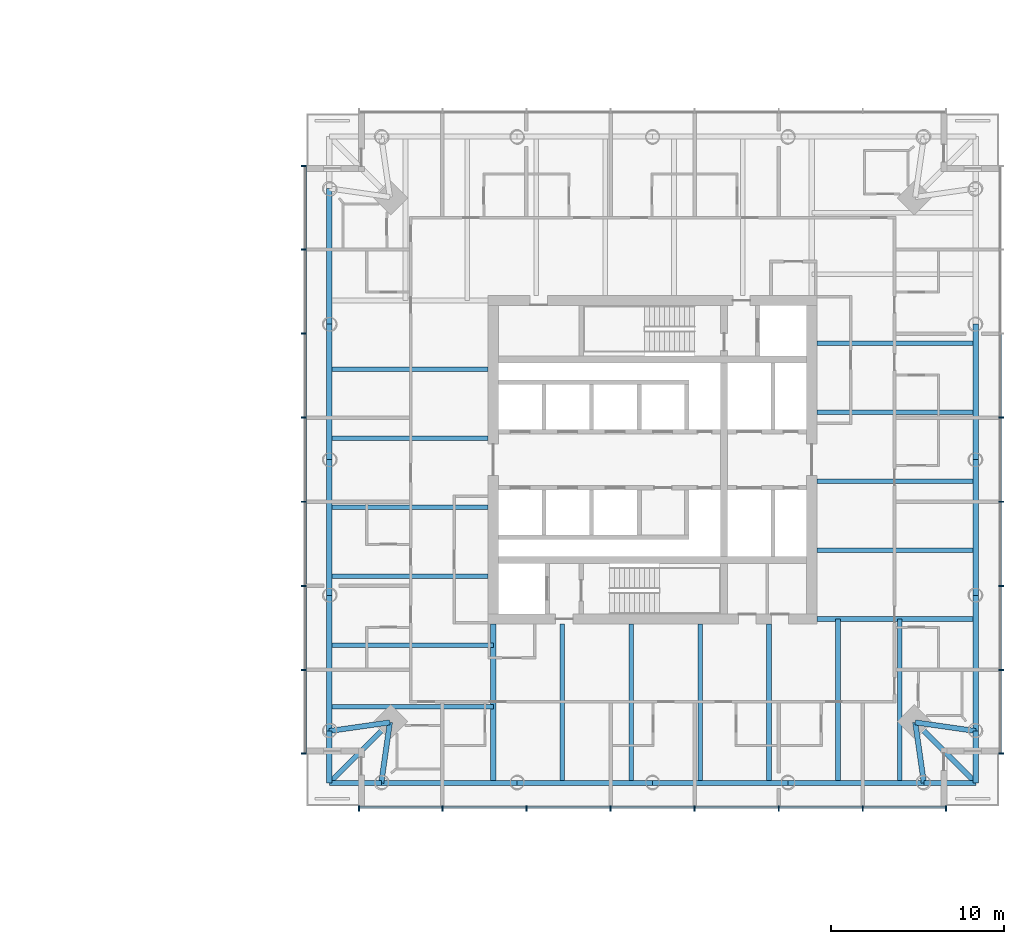
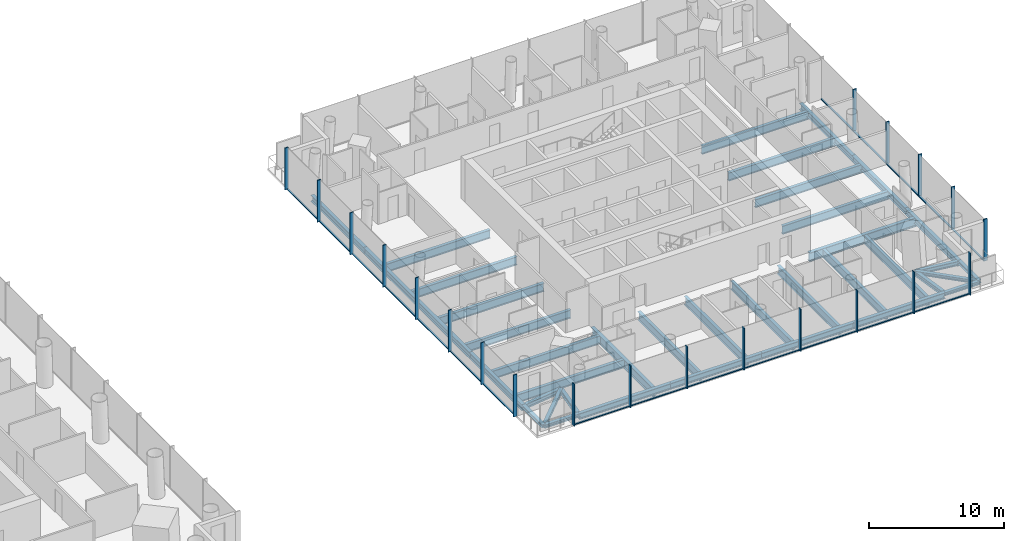
# One storey, part 5 of 20: 40 members, 39 beams, 3 elements without a shape of their own.
"""IFC4 building model written with IfcOpenShell, lengths in metres."""

from ifc_helpers import new_model, si_unit, direction, frame, origin, origin_2d, place, context, subcontext, project, spatial, rectangle, i_section, extrude, material, material_profile, profile_set, type_object, element, aggregate, save


model = new_model("IFC4")

# Units and contexts
model_context = context("Model", 3, precision=1e-05, world=origin(), true_north=direction((0.0, 1.0)))
body_context = subcontext(model_context, "Body", "Model", "MODEL_VIEW")
ifc_project = project(units=[si_unit("LENGTHUNIT", "METRE"), si_unit("AREAUNIT", "SQUARE_METRE"), si_unit("VOLUMEUNIT", "CUBIC_METRE"), si_unit("PLANEANGLEUNIT", "RADIAN"), si_unit("MASSUNIT", "GRAM", prefix="KILO")], contexts=[model_context])

# Site, building, storey
site_placement = place(None, origin())
site = spatial("IfcSite", under=ifc_project, at=site_placement, CompositionType="ELEMENT")
building_placement = place(site_placement, origin())
building = spatial("IfcBuilding", under=site, at=building_placement, Name="Ostroluk Exchange", CompositionType="ELEMENT")
storey_placement = place(building_placement, frame((0.0, 0.0, 28.60009765625)))
storey = spatial("IfcBuildingStorey", under=building, at=storey_placement, Name="L06", CompositionType="ELEMENT", Elevation=28.60009765625)

# Beams
ifc_material_1 = material(Name="Steel S355", Category="steel")
ifc_material_profile_1 = material_profile(ifc_material_1, i_section(OverallWidth=0.300048828125, OverallDepth=0.300048828125, WebThickness=0.010986328125, FlangeThickness=0.01904296875, FilletRadius=0.027099609375, at=origin_2d()), Name="HEB 300")
ifc_profile_set_1 = profile_set([ifc_material_profile_1], Name="Steel S355")
beam_type_1 = type_object("IfcBeamType", Name="Balcony beam HEB 300", PredefinedType="BEAM", material=ifc_profile_set_1)
for number, where, z_axis, x_axis, name in (
    (1, (98.32763671875, 30.32763671875, -0.35009765625), (0.0, -1.0, 0.0), (1.0, 0.0, 0.0), "T2 west balcony beam a"),
    (2, (101.32763671875, 27.32763671875, -0.35009765625), (-1.0, 0.0, 0.0), (0.0, -1.0, 0.0), "T2 west balcony beam b"),
):
    element("IfcBeam", number, at=place(storey_placement, frame(where, z_axis=z_axis, x_axis=x_axis)), inside=storey, type_object=beam_type_1, Name=name, PredefinedType="BEAM", context=body_context, shape_type="SweptSolid", body=[
        extrude(i_section(OverallWidth=0.300048828125, OverallDepth=0.300048828125, WebThickness=0.010986328125, FlangeThickness=0.01904296875, FilletRadius=0.027099609375, at=origin_2d()), origin(), (0.0, 0.0, 1.0), 3.0),
    ])
beam_1_placement = place(storey_placement, frame((101.82763671875, 30.82763671875, -0.35009765625), z_axis=(-0.707106781187, -0.707106781187, 0.0), x_axis=(0.707106781187, -0.707106781187, 0.0)))
element("IfcBeam", 3, at=beam_1_placement, inside=storey, type_object=beam_type_1, Name="T2 west balcony beam c", PredefinedType="BEAM", context=body_context, shape_type="SweptSolid", body=[
    extrude(i_section(OverallWidth=0.300048828125, OverallDepth=0.300048828125, WebThickness=0.010986328125, FlangeThickness=0.01904296875, FilletRadius=0.027099609375, at=origin_2d()), origin(), (0.0, 0.0, 1.0), 4.94970703125),
])
for number, where, z_axis, x_axis, name in (
    (4, (132.67236328125, 27.32763671875, -0.35009765625), (1.0, 0.0, 0.0), (0.0, 1.0, 0.0), "T2 south balcony beam a"),
    (5, (135.67236328125, 30.32763671875, -0.35009765625), (0.0, -1.0, 0.0), (1.0, 0.0, 0.0), "T2 south balcony beam b"),
):
    element("IfcBeam", number, at=place(storey_placement, frame(where, z_axis=z_axis, x_axis=x_axis)), inside=storey, type_object=beam_type_1, Name=name, PredefinedType="BEAM", context=body_context, shape_type="SweptSolid", body=[
        extrude(i_section(OverallWidth=0.300048828125, OverallDepth=0.300048828125, WebThickness=0.010986328125, FlangeThickness=0.01904296875, FilletRadius=0.027099609375, at=origin_2d()), origin(), (0.0, 0.0, 1.0), 3.0),
    ])
beam_2_placement = place(storey_placement, frame((132.17236328125, 30.82763671875, -0.35009765625), z_axis=(0.707106781187, -0.707106781187, 0.0), x_axis=(0.707106781187, 0.707106781187, 0.0)))
element("IfcBeam", 6, at=beam_2_placement, inside=storey, type_object=beam_type_1, Name="T2 south balcony beam c", PredefinedType="BEAM", context=body_context, shape_type="SweptSolid", body=[
    extrude(i_section(OverallWidth=0.300048828125, OverallDepth=0.300048828125, WebThickness=0.010986328125, FlangeThickness=0.01904296875, FilletRadius=0.027099609375, at=origin_2d()), origin(), (0.0, 0.0, 1.0), 4.94970703125),
])
ifc_material_2 = material(Name="Steel S355", Category="steel")
ifc_material_profile_2 = material_profile(ifc_material_2, i_section(OverallWidth=0.300048828125, OverallDepth=0.39990234375, WebThickness=0.013427734375, FlangeThickness=0.02392578125, FilletRadius=0.027099609375, at=origin_2d()), Name="HEB 400")
ifc_profile_set_2 = profile_set([ifc_material_profile_2], Name="Steel S355")
beam_type_2 = type_object("IfcBeamType", Name="Corner edge beam HEB 400", PredefinedType="SPANDREL", material=ifc_profile_set_2)
for number, where, z_axis, x_axis, name in (
    (7, (101.82763671875, 30.82763671875, -0.400146484375), (-0.989949493661, -0.141421356237, 0.0), (0.141421356237, -0.989949493661, 0.0), "T2 west corner edge beam a"),
    (8, (101.82763671875, 30.82763671875, -0.400146484375), (-0.141421356237, -0.989949493661, 0.0), (0.989949493661, -0.141421356237, 0.0), "T2 west corner edge beam b"),
    (9, (132.17236328125, 30.82763671875, -0.400146484375), (0.141421356237, -0.989949493661, 0.0), (0.989949493661, 0.141421356237, 0.0), "T2 south corner edge beam a"),
    (10, (132.17236328125, 30.82763671875, -0.400146484375), (0.989949493661, -0.141421356237, 0.0), (0.141421356237, 0.989949493661, 0.0), "T2 south corner edge beam b"),
):
    element("IfcBeam", number, at=place(storey_placement, frame(where, z_axis=z_axis, x_axis=x_axis)), inside=storey, type_object=beam_type_2, Name=name, PredefinedType="SPANDREL", context=body_context, shape_type="SweptSolid", body=[
        extrude(i_section(OverallWidth=0.300048828125, OverallDepth=0.39990234375, WebThickness=0.013427734375, FlangeThickness=0.02392578125, FilletRadius=0.027099609375, at=origin_2d()), origin(), (0.0, 0.0, 1.0), 3.53564453125),
    ])
ifc_material_3 = material(Name="Steel S355", Category="steel")
ifc_material_profile_3 = material_profile(ifc_material_3, i_section(OverallWidth=0.264892578125, OverallDepth=0.7529296875, WebThickness=0.01318359375, FlangeThickness=0.01708984375, FilletRadius=0.01708984375, at=origin_2d()), Name="IPE 750x147")
ifc_profile_set_3 = profile_set([ifc_material_profile_3], Name="Steel S355")
beam_type_3 = type_object("IfcBeamType", Name="Floor beam IPE 750x147", PredefinedType="BEAM", material=ifc_profile_set_3)
for number, where, z_axis, x_axis, name in (
    (11, (126.5, 40.78173828125, -0.57666015625), (1.0, 0.0, 0.0), (0.0, 1.0, 0.0), "T2 east floor beam 1"),
    (12, (126.5, 44.763427734375, -0.57666015625), (1.0, 0.0, 0.0), (0.0, 1.0, 0.0), "T2 east floor beam 2"),
    (13, (126.5, 48.745361328125, -0.57666015625), (1.0, 0.0, 0.0), (0.0, 1.0, 0.0), "T2 east floor beam 3"),
    (14, (126.5, 52.72705078125, -0.57666015625), (1.0, 0.0, 0.0), (0.0, 1.0, 0.0), "T2 east floor beam 4"),
    (15, (107.5, 51.21826171875, -0.57666015625), (-1.0, 0.0, 0.0), (0.0, -1.0, 0.0), "T2 west floor beam 1"),
    (16, (107.5, 47.236572265625, -0.57666015625), (-1.0, 0.0, 0.0), (0.0, -1.0, 0.0), "T2 west floor beam 2"),
    (17, (107.5, 43.254638671875, -0.57666015625), (-1.0, 0.0, 0.0), (0.0, -1.0, 0.0), "T2 west floor beam 3"),
    (18, (107.5, 39.27294921875, -0.57666015625), (-1.0, 0.0, 0.0), (0.0, -1.0, 0.0), "T2 west floor beam 4"),
):
    element("IfcBeam", number, at=place(storey_placement, frame(where, z_axis=z_axis, x_axis=x_axis)), inside=storey, type_object=beam_type_3, Name=name, PredefinedType="BEAM", context=body_context, shape_type="SweptSolid", body=[
        extrude(i_section(OverallWidth=0.264892578125, OverallDepth=0.7529296875, WebThickness=0.01318359375, FlangeThickness=0.01708984375, FilletRadius=0.01708984375, at=origin_2d()), origin(), (0.0, 0.0, 1.0), 9.17236328125),
    ])
for number, where, z_axis, x_axis, name in (
    (19, (107.800048828125, 35.291015625, -0.57666015625), (-1.0, 0.0, 0.0), (0.0, -1.0, 0.0), "T2 west floor beam 5"),
    (20, (107.800048828125, 31.7275390625, -0.57666015625), (-1.0, 0.0, 0.0), (0.0, -1.0, 0.0), "T2 west floor beam 6"),
):
    element("IfcBeam", number, at=place(storey_placement, frame(where, z_axis=z_axis, x_axis=x_axis)), inside=storey, type_object=beam_type_3, Name=name, PredefinedType="BEAM", context=body_context, shape_type="SweptSolid", body=[
        extrude(i_section(OverallWidth=0.264892578125, OverallDepth=0.7529296875, WebThickness=0.01318359375, FlangeThickness=0.01708984375, FilletRadius=0.01708984375, at=origin_2d()), origin(), (0.0, 0.0, 1.0), 9.472412109375),
    ])
for number, where, z_axis, x_axis, name in (
    (21, (111.78173828125, 36.5, -0.57666015625), (0.0, -1.0, 0.0), (1.0, 0.0, 0.0), "T2 south floor beam 1"),
    (22, (115.763427734375, 36.5, -0.57666015625), (0.0, -1.0, 0.0), (1.0, 0.0, 0.0), "T2 south floor beam 2"),
    (23, (119.745361328125, 36.5, -0.57666015625), (0.0, -1.0, 0.0), (1.0, 0.0, 0.0), "T2 south floor beam 3"),
    (24, (123.72705078125, 36.5, -0.57666015625), (0.0, -1.0, 0.0), (1.0, 0.0, 0.0), "T2 south floor beam 4"),
):
    element("IfcBeam", number, at=place(storey_placement, frame(where, z_axis=z_axis, x_axis=x_axis)), inside=storey, type_object=beam_type_3, Name=name, PredefinedType="BEAM", context=body_context, shape_type="SweptSolid", body=[
        extrude(i_section(OverallWidth=0.264892578125, OverallDepth=0.7529296875, WebThickness=0.01318359375, FlangeThickness=0.01708984375, FilletRadius=0.01708984375, at=origin_2d()), origin(), (0.0, 0.0, 1.0), 9.17236328125),
    ])
for number, where, z_axis, x_axis, name in (
    (25, (127.708984375, 36.800048828125, -0.57666015625), (0.0, -1.0, 0.0), (1.0, 0.0, 0.0), "T2 south floor beam 5"),
    (26, (131.2724609375, 36.800048828125, -0.57666015625), (0.0, -1.0, 0.0), (1.0, 0.0, 0.0), "T2 south floor beam 6"),
):
    element("IfcBeam", number, at=place(storey_placement, frame(where, z_axis=z_axis, x_axis=x_axis)), inside=storey, type_object=beam_type_3, Name=name, PredefinedType="BEAM", context=body_context, shape_type="SweptSolid", body=[
        extrude(i_section(OverallWidth=0.264892578125, OverallDepth=0.7529296875, WebThickness=0.01318359375, FlangeThickness=0.01708984375, FilletRadius=0.01708984375, at=origin_2d()), origin(), (0.0, 0.0, 1.0), 9.472412109375),
    ])
ifc_material_4 = material(Name="Steel S355", Category="steel")
ifc_material_profile_4 = material_profile(ifc_material_4, i_section(OverallWidth=0.300048828125, OverallDepth=0.800048828125, WebThickness=0.017578125, FlangeThickness=0.032958984375, FilletRadius=0.030029296875, at=origin_2d()), Name="HEB 800")
ifc_profile_set_4 = profile_set([ifc_material_profile_4], Name="Steel S355")
beam_type_4 = type_object("IfcBeamType", Name="Girder HEB 800", PredefinedType="BEAM", material=ifc_profile_set_4)
for number, where, z_axis, x_axis, name in (
    (27, (107.800048828125, 36.5, -0.60009765625), (0.0, -1.0, 0.0), (1.0, 0.0, 0.0), "T2 west girder"),
    (28, (126.5, 36.800048828125, -0.60009765625), (1.0, 0.0, 0.0), (0.0, 1.0, 0.0), "T2 south girder"),
):
    element("IfcBeam", number, at=place(storey_placement, frame(where, z_axis=z_axis, x_axis=x_axis)), inside=storey, type_object=beam_type_4, Name=name, PredefinedType="BEAM", context=body_context, shape_type="SweptSolid", body=[
        extrude(i_section(OverallWidth=0.300048828125, OverallDepth=0.800048828125, WebThickness=0.017578125, FlangeThickness=0.032958984375, FilletRadius=0.030029296875, at=origin_2d()), origin(), (0.0, 0.0, 1.0), 9.17236328125),
    ])
ifc_material_5 = material(Name="Steel S355", Category="steel")
ifc_material_profile_5 = material_profile(ifc_material_5, i_section(OverallWidth=0.300048828125, OverallDepth=0.550048828125, WebThickness=0.014892578125, FlangeThickness=0.029052734375, FilletRadius=0.027099609375, at=origin_2d()), Name="HEB 550")
ifc_profile_set_5 = profile_set([ifc_material_profile_5], Name="Steel S355")
beam_type_5 = type_object("IfcBeamType", Name="Moment-connected edge beam HEB 550", PredefinedType="SPANDREL", material=ifc_profile_set_5)
for number, where, z_axis, x_axis, name in (
    (29, (135.67236328125, 30.32763671875, -0.47509765625), (0.0, 1.0, 0.0), (-1.0, 0.0, 0.0), "T2 east edge beam 1"),
    (30, (135.67236328125, 38.163818359375, -0.47509765625), (0.0, 1.0, 0.0), (-1.0, 0.0, 0.0), "T2 east edge beam 2"),
    (31, (135.67236328125, 46.0, -0.47509765625), (0.0, 1.0, 0.0), (-1.0, 0.0, 0.0), "T2 east edge beam 3"),
    (32, (98.32763671875, 61.67236328125, -0.47509765625), (0.0, -1.0, 0.0), (1.0, 0.0, 0.0), "T2 west edge beam 1"),
    (33, (98.32763671875, 53.836181640625, -0.47509765625), (0.0, -1.0, 0.0), (1.0, 0.0, 0.0), "T2 west edge beam 2"),
    (34, (98.32763671875, 46.0, -0.47509765625), (0.0, -1.0, 0.0), (1.0, 0.0, 0.0), "T2 west edge beam 3"),
    (35, (98.32763671875, 38.163818359375, -0.47509765625), (0.0, -1.0, 0.0), (1.0, 0.0, 0.0), "T2 west edge beam 4"),
    (36, (101.32763671875, 27.32763671875, -0.47509765625), (1.0, 0.0, 0.0), (0.0, 1.0, 0.0), "T2 south edge beam 1"),
    (37, (109.163818359375, 27.32763671875, -0.47509765625), (1.0, 0.0, 0.0), (0.0, 1.0, 0.0), "T2 south edge beam 2"),
    (38, (117.0, 27.32763671875, -0.47509765625), (1.0, 0.0, 0.0), (0.0, 1.0, 0.0), "T2 south edge beam 3"),
    (39, (124.836181640625, 27.32763671875, -0.47509765625), (1.0, 0.0, 0.0), (0.0, 1.0, 0.0), "T2 south edge beam 4"),
):
    element("IfcBeam", number, at=place(storey_placement, frame(where, z_axis=z_axis, x_axis=x_axis)), inside=storey, type_object=beam_type_5, Name=name, PredefinedType="SPANDREL", context=body_context, shape_type="SweptSolid", body=[
        extrude(i_section(OverallWidth=0.300048828125, OverallDepth=0.550048828125, WebThickness=0.014892578125, FlangeThickness=0.029052734375, FilletRadius=0.027099609375, at=origin_2d()), origin(), (0.0, 0.0, 1.0), 7.836181640625),
    ])

# Curtain wall, members
ifc_material_6 = material(Name="Laminated clear glass", Category="glass")
curtain_wall_type = type_object("IfcCurtainWallType", Name="Hotel guest floor facade", PredefinedType="USERDEFINED", material=ifc_material_6)
curtain_wall_1_placement = place(storey_placement, origin())
curtain_wall_1 = element("IfcCurtainWall", 40, at=curtain_wall_1_placement, inside=storey, type_object=curtain_wall_type, Name="Hotel tower south facade L06", ObjectType="UNITISED CURTAIN WALL", PredefinedType="USERDEFINED")
ifc_material_7 = material(Name="Aluminium mullion", Category="aluminium")
ifc_material_profile_6 = material_profile(ifc_material_7, rectangle(XDim=0.14990234375, YDim=0.080078125, at=origin_2d()), Name="Sill transom 80 x 150")
ifc_profile_set_6 = profile_set([ifc_material_profile_6], Name="Aluminium mullion")
member_type_1 = type_object("IfcMemberType", Name="Sill transom 80 x 150", PredefinedType="USERDEFINED", material=ifc_profile_set_6)
member_1_placement = place(storey_placement, frame((100.080078125, 25.925048828125, 0.039794921875), z_axis=(1.0, 0.0, 0.0), x_axis=(0.0, 1.0, 0.0)))
member_1 = element("IfcMember", 41, at=member_1_placement, type_object=member_type_1, Name="CW-H1 transom 1.1", ObjectType="TRANSOM", PredefinedType="USERDEFINED", context=body_context, shape_type="SweptSolid", body=[
    extrude(rectangle(XDim=0.14990234375, YDim=0.080078125, at=origin_2d()), origin(), (0.0, 0.0, 1.0), 4.737060546875),
])
member_2_placement = place(storey_placement, frame((104.897216796875, 25.925048828125, 0.039794921875), z_axis=(1.0, 0.0, 0.0), x_axis=(0.0, 1.0, 0.0)))
member_2 = element("IfcMember", 42, at=member_2_placement, type_object=member_type_1, Name="CW-H1 transom 2.1", ObjectType="TRANSOM", PredefinedType="USERDEFINED", context=body_context, shape_type="SweptSolid", body=[
    extrude(rectangle(XDim=0.14990234375, YDim=0.080078125, at=origin_2d()), origin(), (0.0, 0.0, 1.0), 4.777099609375),
])
member_3_placement = place(storey_placement, frame((109.75439453125, 25.925048828125, 0.039794921875), z_axis=(1.0, 0.0, 0.0), x_axis=(0.0, 1.0, 0.0)))
member_3 = element("IfcMember", 43, at=member_3_placement, type_object=member_type_1, Name="CW-H1 transom 3.1", ObjectType="TRANSOM", PredefinedType="USERDEFINED", context=body_context, shape_type="SweptSolid", body=[
    extrude(rectangle(XDim=0.14990234375, YDim=0.080078125, at=origin_2d()), origin(), (0.0, 0.0, 1.0), 4.777099609375),
])
member_4_placement = place(storey_placement, frame((114.611328125, 25.925048828125, 0.039794921875), z_axis=(1.0, 0.0, 0.0), x_axis=(0.0, 1.0, 0.0)))
member_4 = element("IfcMember", 44, at=member_4_placement, type_object=member_type_1, Name="CW-H1 transom 4.1", ObjectType="TRANSOM", PredefinedType="USERDEFINED", context=body_context, shape_type="SweptSolid", body=[
    extrude(rectangle(XDim=0.14990234375, YDim=0.080078125, at=origin_2d()), origin(), (0.0, 0.0, 1.0), 4.77734375),
])
member_5_placement = place(storey_placement, frame((119.468505859375, 25.925048828125, 0.039794921875), z_axis=(1.0, 0.0, 0.0), x_axis=(0.0, 1.0, 0.0)))
member_5 = element("IfcMember", 45, at=member_5_placement, type_object=member_type_1, Name="CW-H1 transom 5.1", ObjectType="TRANSOM", PredefinedType="USERDEFINED", context=body_context, shape_type="SweptSolid", body=[
    extrude(rectangle(XDim=0.14990234375, YDim=0.080078125, at=origin_2d()), origin(), (0.0, 0.0, 1.0), 4.777099609375),
])
member_6_placement = place(storey_placement, frame((124.32568359375, 25.925048828125, 0.039794921875), z_axis=(1.0, 0.0, 0.0), x_axis=(0.0, 1.0, 0.0)))
member_6 = element("IfcMember", 46, at=member_6_placement, type_object=member_type_1, Name="CW-H1 transom 6.1", ObjectType="TRANSOM", PredefinedType="USERDEFINED", context=body_context, shape_type="SweptSolid", body=[
    extrude(rectangle(XDim=0.14990234375, YDim=0.080078125, at=origin_2d()), origin(), (0.0, 0.0, 1.0), 4.777099609375),
])
member_7_placement = place(storey_placement, frame((129.182861328125, 25.925048828125, 0.039794921875), z_axis=(1.0, 0.0, 0.0), x_axis=(0.0, 1.0, 0.0)))
member_7 = element("IfcMember", 47, at=member_7_placement, type_object=member_type_1, Name="CW-H1 transom 7.1", ObjectType="TRANSOM", PredefinedType="USERDEFINED", context=body_context, shape_type="SweptSolid", body=[
    extrude(rectangle(XDim=0.14990234375, YDim=0.080078125, at=origin_2d()), origin(), (0.0, 0.0, 1.0), 4.737060546875),
])

curtain_wall_2_placement = place(storey_placement, origin())
curtain_wall_2 = element("IfcCurtainWall", 48, at=curtain_wall_2_placement, inside=storey, type_object=curtain_wall_type, Name="Hotel tower east facade L06", ObjectType="UNITISED CURTAIN WALL", PredefinedType="USERDEFINED")
member_8_placement = place(storey_placement, frame((137.074951171875, 29.080078125, 0.039794921875), z_axis=(0.0, 1.0, 0.0), x_axis=(-1.0, 0.0, 0.0)))
member_8 = element("IfcMember", 49, at=member_8_placement, type_object=member_type_1, Name="CW-H1 transom 1.1", ObjectType="TRANSOM", PredefinedType="USERDEFINED", context=body_context, shape_type="SweptSolid", body=[
    extrude(rectangle(XDim=0.14990234375, YDim=0.080078125, at=origin_2d()), origin(), (0.0, 0.0, 1.0), 4.737060546875),
])
member_9_placement = place(storey_placement, frame((137.074951171875, 33.897216796875, 0.039794921875), z_axis=(0.0, 1.0, 0.0), x_axis=(-1.0, 0.0, 0.0)))
member_9 = element("IfcMember", 50, at=member_9_placement, type_object=member_type_1, Name="CW-H1 transom 2.1", ObjectType="TRANSOM", PredefinedType="USERDEFINED", context=body_context, shape_type="SweptSolid", body=[
    extrude(rectangle(XDim=0.14990234375, YDim=0.080078125, at=origin_2d()), origin(), (0.0, 0.0, 1.0), 4.777099609375),
])
member_10_placement = place(storey_placement, frame((137.074951171875, 38.75439453125, 0.039794921875), z_axis=(0.0, 1.0, 0.0), x_axis=(-1.0, 0.0, 0.0)))
member_10 = element("IfcMember", 51, at=member_10_placement, type_object=member_type_1, Name="CW-H1 transom 3.1", ObjectType="TRANSOM", PredefinedType="USERDEFINED", context=body_context, shape_type="SweptSolid", body=[
    extrude(rectangle(XDim=0.14990234375, YDim=0.080078125, at=origin_2d()), origin(), (0.0, 0.0, 1.0), 4.777099609375),
])
member_11_placement = place(storey_placement, frame((137.074951171875, 43.611328125, 0.039794921875), z_axis=(0.0, 1.0, 0.0), x_axis=(-1.0, 0.0, 0.0)))
member_11 = element("IfcMember", 52, at=member_11_placement, type_object=member_type_1, Name="CW-H1 transom 4.1", ObjectType="TRANSOM", PredefinedType="USERDEFINED", context=body_context, shape_type="SweptSolid", body=[
    extrude(rectangle(XDim=0.14990234375, YDim=0.080078125, at=origin_2d()), origin(), (0.0, 0.0, 1.0), 4.77734375),
])
member_12_placement = place(storey_placement, frame((137.074951171875, 48.468505859375, 0.039794921875), z_axis=(0.0, 1.0, 0.0), x_axis=(-1.0, 0.0, 0.0)))
member_12 = element("IfcMember", 53, at=member_12_placement, type_object=member_type_1, Name="CW-H1 transom 5.1", ObjectType="TRANSOM", PredefinedType="USERDEFINED", context=body_context, shape_type="SweptSolid", body=[
    extrude(rectangle(XDim=0.14990234375, YDim=0.080078125, at=origin_2d()), origin(), (0.0, 0.0, 1.0), 4.777099609375),
])

curtain_wall_3_placement = place(storey_placement, origin())
curtain_wall_3 = element("IfcCurtainWall", 54, at=curtain_wall_3_placement, inside=storey, type_object=curtain_wall_type, Name="Hotel tower west facade L06", ObjectType="UNITISED CURTAIN WALL", PredefinedType="USERDEFINED")
member_13_placement = place(storey_placement, frame((96.925048828125, 62.919921875, 0.039794921875), z_axis=(0.0, -1.0, 0.0), x_axis=(1.0, 0.0, 0.0)))
member_13 = element("IfcMember", 55, at=member_13_placement, type_object=member_type_1, Name="CW-H1 transom 1.1", ObjectType="TRANSOM", PredefinedType="USERDEFINED", context=body_context, shape_type="SweptSolid", body=[
    extrude(rectangle(XDim=0.14990234375, YDim=0.080078125, at=origin_2d()), origin(), (0.0, 0.0, 1.0), 4.737060546875),
])
member_14_placement = place(storey_placement, frame((96.925048828125, 58.102783203125, 0.039794921875), z_axis=(0.0, -1.0, 0.0), x_axis=(1.0, 0.0, 0.0)))
member_14 = element("IfcMember", 56, at=member_14_placement, type_object=member_type_1, Name="CW-H1 transom 2.1", ObjectType="TRANSOM", PredefinedType="USERDEFINED", context=body_context, shape_type="SweptSolid", body=[
    extrude(rectangle(XDim=0.14990234375, YDim=0.080078125, at=origin_2d()), origin(), (0.0, 0.0, 1.0), 4.777099609375),
])
member_15_placement = place(storey_placement, frame((96.925048828125, 53.24560546875, 0.039794921875), z_axis=(0.0, -1.0, 0.0), x_axis=(1.0, 0.0, 0.0)))
member_15 = element("IfcMember", 57, at=member_15_placement, type_object=member_type_1, Name="CW-H1 transom 3.1", ObjectType="TRANSOM", PredefinedType="USERDEFINED", context=body_context, shape_type="SweptSolid", body=[
    extrude(rectangle(XDim=0.14990234375, YDim=0.080078125, at=origin_2d()), origin(), (0.0, 0.0, 1.0), 4.777099609375),
])
member_16_placement = place(storey_placement, frame((96.925048828125, 48.388671875, 0.039794921875), z_axis=(0.0, -1.0, 0.0), x_axis=(1.0, 0.0, 0.0)))
member_16 = element("IfcMember", 58, at=member_16_placement, type_object=member_type_1, Name="CW-H1 transom 4.1", ObjectType="TRANSOM", PredefinedType="USERDEFINED", context=body_context, shape_type="SweptSolid", body=[
    extrude(rectangle(XDim=0.14990234375, YDim=0.080078125, at=origin_2d()), origin(), (0.0, 0.0, 1.0), 4.77734375),
])
member_17_placement = place(storey_placement, frame((96.925048828125, 43.531494140625, 0.039794921875), z_axis=(0.0, -1.0, 0.0), x_axis=(1.0, 0.0, 0.0)))
member_17 = element("IfcMember", 59, at=member_17_placement, type_object=member_type_1, Name="CW-H1 transom 5.1", ObjectType="TRANSOM", PredefinedType="USERDEFINED", context=body_context, shape_type="SweptSolid", body=[
    extrude(rectangle(XDim=0.14990234375, YDim=0.080078125, at=origin_2d()), origin(), (0.0, 0.0, 1.0), 4.777099609375),
])
member_18_placement = place(storey_placement, frame((96.925048828125, 38.67431640625, 0.039794921875), z_axis=(0.0, -1.0, 0.0), x_axis=(1.0, 0.0, 0.0)))
member_18 = element("IfcMember", 60, at=member_18_placement, type_object=member_type_1, Name="CW-H1 transom 6.1", ObjectType="TRANSOM", PredefinedType="USERDEFINED", context=body_context, shape_type="SweptSolid", body=[
    extrude(rectangle(XDim=0.14990234375, YDim=0.080078125, at=origin_2d()), origin(), (0.0, 0.0, 1.0), 4.777099609375),
])
member_19_placement = place(storey_placement, frame((96.925048828125, 33.817138671875, 0.039794921875), z_axis=(0.0, -1.0, 0.0), x_axis=(1.0, 0.0, 0.0)))
member_19 = element("IfcMember", 61, at=member_19_placement, type_object=member_type_1, Name="CW-H1 transom 7.1", ObjectType="TRANSOM", PredefinedType="USERDEFINED", context=body_context, shape_type="SweptSolid", body=[
    extrude(rectangle(XDim=0.14990234375, YDim=0.080078125, at=origin_2d()), origin(), (0.0, 0.0, 1.0), 4.737060546875),
])

# Member
ifc_material_8 = material(Name="Aluminium mullion with limestone facing", Category="masonry")
ifc_material_profile_7 = material_profile(ifc_material_8, rectangle(XDim=0.300048828125, YDim=0.080078125, at=origin_2d()), Name="Tracery mullion 80 x 300")
ifc_profile_set_7 = profile_set([ifc_material_profile_7], Name="Aluminium mullion with limestone facing")
member_type_2 = type_object("IfcMemberType", Name="Tracery mullion 80 x 300", PredefinedType="MULLION", material=ifc_profile_set_7)
member_20_placement = place(storey_placement, frame((100.0400390625, 25.85009765625, 0.0), z_axis=(0.0, 0.0, 1.0), x_axis=(0.0, 1.0, 0.0)))
member_20 = element("IfcMember", 62, at=member_20_placement, type_object=member_type_2, Name="CW-H1 mullion 1", PredefinedType="MULLION", context=body_context, shape_type="SweptSolid", body=[
    extrude(rectangle(XDim=0.300048828125, YDim=0.080078125, at=origin_2d()), origin(), (0.0, 0.0, 1.0), 3.7998046875),
])

member_21_placement = place(storey_placement, frame((104.857177734375, 25.85009765625, 0.0), z_axis=(0.0, 0.0, 1.0), x_axis=(0.0, 1.0, 0.0)))
member_21 = element("IfcMember", 63, at=member_21_placement, type_object=member_type_2, Name="CW-H1 mullion 2", PredefinedType="MULLION", context=body_context, shape_type="SweptSolid", body=[
    extrude(rectangle(XDim=0.300048828125, YDim=0.080078125, at=origin_2d()), origin(), (0.0, 0.0, 1.0), 3.7998046875),
])

member_22_placement = place(storey_placement, frame((109.71435546875, 25.85009765625, 0.0), z_axis=(0.0, 0.0, 1.0), x_axis=(0.0, 1.0, 0.0)))
member_22 = element("IfcMember", 64, at=member_22_placement, type_object=member_type_2, Name="CW-H1 mullion 3", PredefinedType="MULLION", context=body_context, shape_type="SweptSolid", body=[
    extrude(rectangle(XDim=0.300048828125, YDim=0.080078125, at=origin_2d()), origin(), (0.0, 0.0, 1.0), 3.7998046875),
])

member_23_placement = place(storey_placement, frame((114.571533203125, 25.85009765625, 0.0), z_axis=(0.0, 0.0, 1.0), x_axis=(0.0, 1.0, 0.0)))
member_23 = element("IfcMember", 65, at=member_23_placement, type_object=member_type_2, Name="CW-H1 mullion 4", PredefinedType="MULLION", context=body_context, shape_type="SweptSolid", body=[
    extrude(rectangle(XDim=0.300048828125, YDim=0.080078125, at=origin_2d()), origin(), (0.0, 0.0, 1.0), 3.7998046875),
])

member_24_placement = place(storey_placement, frame((119.428466796875, 25.85009765625, 0.0), z_axis=(0.0, 0.0, 1.0), x_axis=(0.0, 1.0, 0.0)))
member_24 = element("IfcMember", 66, at=member_24_placement, type_object=member_type_2, Name="CW-H1 mullion 5", PredefinedType="MULLION", context=body_context, shape_type="SweptSolid", body=[
    extrude(rectangle(XDim=0.300048828125, YDim=0.080078125, at=origin_2d()), origin(), (0.0, 0.0, 1.0), 3.7998046875),
])

member_25_placement = place(storey_placement, frame((124.28564453125, 25.85009765625, 0.0), z_axis=(0.0, 0.0, 1.0), x_axis=(0.0, 1.0, 0.0)))
member_25 = element("IfcMember", 67, at=member_25_placement, type_object=member_type_2, Name="CW-H1 mullion 6", PredefinedType="MULLION", context=body_context, shape_type="SweptSolid", body=[
    extrude(rectangle(XDim=0.300048828125, YDim=0.080078125, at=origin_2d()), origin(), (0.0, 0.0, 1.0), 3.7998046875),
])

member_26_placement = place(storey_placement, frame((129.142822265625, 25.85009765625, 0.0), z_axis=(0.0, 0.0, 1.0), x_axis=(0.0, 1.0, 0.0)))
member_26 = element("IfcMember", 68, at=member_26_placement, type_object=member_type_2, Name="CW-H1 mullion 7", PredefinedType="MULLION", context=body_context, shape_type="SweptSolid", body=[
    extrude(rectangle(XDim=0.300048828125, YDim=0.080078125, at=origin_2d()), origin(), (0.0, 0.0, 1.0), 3.7998046875),
])

member_27_placement = place(storey_placement, frame((133.9599609375, 25.85009765625, 0.0), z_axis=(0.0, 0.0, 1.0), x_axis=(0.0, 1.0, 0.0)))
member_27 = element("IfcMember", 69, at=member_27_placement, type_object=member_type_2, Name="CW-H1 mullion 8", PredefinedType="MULLION", context=body_context, shape_type="SweptSolid", body=[
    extrude(rectangle(XDim=0.300048828125, YDim=0.080078125, at=origin_2d()), origin(), (0.0, 0.0, 1.0), 3.7998046875),
])

aggregate(curtain_wall_1, [member_20, member_21, member_22, member_23, member_24, member_25, member_26, member_27, member_1, member_2, member_3, member_4, member_5, member_6, member_7])

member_28_placement = place(storey_placement, frame((137.14990234375, 29.0400390625, 0.0), z_axis=(0.0, 0.0, 1.0), x_axis=(-1.0, 0.0, 0.0)))
member_28 = element("IfcMember", 70, at=member_28_placement, type_object=member_type_2, Name="CW-H1 mullion 1", PredefinedType="MULLION", context=body_context, shape_type="SweptSolid", body=[
    extrude(rectangle(XDim=0.300048828125, YDim=0.080078125, at=origin_2d()), origin(), (0.0, 0.0, 1.0), 3.7998046875),
])

member_29_placement = place(storey_placement, frame((137.14990234375, 33.857177734375, 0.0), z_axis=(0.0, 0.0, 1.0), x_axis=(-1.0, 0.0, 0.0)))
member_29 = element("IfcMember", 71, at=member_29_placement, type_object=member_type_2, Name="CW-H1 mullion 2", PredefinedType="MULLION", context=body_context, shape_type="SweptSolid", body=[
    extrude(rectangle(XDim=0.300048828125, YDim=0.080078125, at=origin_2d()), origin(), (0.0, 0.0, 1.0), 3.7998046875),
])

member_30_placement = place(storey_placement, frame((137.14990234375, 38.71435546875, 0.0), z_axis=(0.0, 0.0, 1.0), x_axis=(-1.0, 0.0, 0.0)))
member_30 = element("IfcMember", 72, at=member_30_placement, type_object=member_type_2, Name="CW-H1 mullion 3", PredefinedType="MULLION", context=body_context, shape_type="SweptSolid", body=[
    extrude(rectangle(XDim=0.300048828125, YDim=0.080078125, at=origin_2d()), origin(), (0.0, 0.0, 1.0), 3.7998046875),
])

member_31_placement = place(storey_placement, frame((137.14990234375, 43.571533203125, 0.0), z_axis=(0.0, 0.0, 1.0), x_axis=(-1.0, 0.0, 0.0)))
member_31 = element("IfcMember", 73, at=member_31_placement, type_object=member_type_2, Name="CW-H1 mullion 4", PredefinedType="MULLION", context=body_context, shape_type="SweptSolid", body=[
    extrude(rectangle(XDim=0.300048828125, YDim=0.080078125, at=origin_2d()), origin(), (0.0, 0.0, 1.0), 3.7998046875),
])

member_32_placement = place(storey_placement, frame((137.14990234375, 48.428466796875, 0.0), z_axis=(0.0, 0.0, 1.0), x_axis=(-1.0, 0.0, 0.0)))
member_32 = element("IfcMember", 74, at=member_32_placement, type_object=member_type_2, Name="CW-H1 mullion 5", PredefinedType="MULLION", context=body_context, shape_type="SweptSolid", body=[
    extrude(rectangle(XDim=0.300048828125, YDim=0.080078125, at=origin_2d()), origin(), (0.0, 0.0, 1.0), 3.7998046875),
])

aggregate(curtain_wall_2, [member_28, member_29, member_30, member_31, member_32, member_8, member_9, member_10, member_11, member_12])

member_33_placement = place(storey_placement, frame((96.85009765625, 62.9599609375, 0.0), z_axis=(0.0, 0.0, 1.0), x_axis=(1.0, 0.0, 0.0)))
member_33 = element("IfcMember", 75, at=member_33_placement, type_object=member_type_2, Name="CW-H1 mullion 1", PredefinedType="MULLION", context=body_context, shape_type="SweptSolid", body=[
    extrude(rectangle(XDim=0.300048828125, YDim=0.080078125, at=origin_2d()), origin(), (0.0, 0.0, 1.0), 3.7998046875),
])

member_34_placement = place(storey_placement, frame((96.85009765625, 58.142822265625, 0.0), z_axis=(0.0, 0.0, 1.0), x_axis=(1.0, 0.0, 0.0)))
member_34 = element("IfcMember", 76, at=member_34_placement, type_object=member_type_2, Name="CW-H1 mullion 2", PredefinedType="MULLION", context=body_context, shape_type="SweptSolid", body=[
    extrude(rectangle(XDim=0.300048828125, YDim=0.080078125, at=origin_2d()), origin(), (0.0, 0.0, 1.0), 3.7998046875),
])

member_35_placement = place(storey_placement, frame((96.85009765625, 53.28564453125, 0.0), z_axis=(0.0, 0.0, 1.0), x_axis=(1.0, 0.0, 0.0)))
member_35 = element("IfcMember", 77, at=member_35_placement, type_object=member_type_2, Name="CW-H1 mullion 3", PredefinedType="MULLION", context=body_context, shape_type="SweptSolid", body=[
    extrude(rectangle(XDim=0.300048828125, YDim=0.080078125, at=origin_2d()), origin(), (0.0, 0.0, 1.0), 3.7998046875),
])

member_36_placement = place(storey_placement, frame((96.85009765625, 48.428466796875, 0.0), z_axis=(0.0, 0.0, 1.0), x_axis=(1.0, 0.0, 0.0)))
member_36 = element("IfcMember", 78, at=member_36_placement, type_object=member_type_2, Name="CW-H1 mullion 4", PredefinedType="MULLION", context=body_context, shape_type="SweptSolid", body=[
    extrude(rectangle(XDim=0.300048828125, YDim=0.080078125, at=origin_2d()), origin(), (0.0, 0.0, 1.0), 3.7998046875),
])

member_37_placement = place(storey_placement, frame((96.85009765625, 43.571533203125, 0.0), z_axis=(0.0, 0.0, 1.0), x_axis=(1.0, 0.0, 0.0)))
member_37 = element("IfcMember", 79, at=member_37_placement, type_object=member_type_2, Name="CW-H1 mullion 5", PredefinedType="MULLION", context=body_context, shape_type="SweptSolid", body=[
    extrude(rectangle(XDim=0.300048828125, YDim=0.080078125, at=origin_2d()), origin(), (0.0, 0.0, 1.0), 3.7998046875),
])

member_38_placement = place(storey_placement, frame((96.85009765625, 38.71435546875, 0.0), z_axis=(0.0, 0.0, 1.0), x_axis=(1.0, 0.0, 0.0)))
member_38 = element("IfcMember", 80, at=member_38_placement, type_object=member_type_2, Name="CW-H1 mullion 6", PredefinedType="MULLION", context=body_context, shape_type="SweptSolid", body=[
    extrude(rectangle(XDim=0.300048828125, YDim=0.080078125, at=origin_2d()), origin(), (0.0, 0.0, 1.0), 3.7998046875),
])

member_39_placement = place(storey_placement, frame((96.85009765625, 33.857177734375, 0.0), z_axis=(0.0, 0.0, 1.0), x_axis=(1.0, 0.0, 0.0)))
member_39 = element("IfcMember", 81, at=member_39_placement, type_object=member_type_2, Name="CW-H1 mullion 7", PredefinedType="MULLION", context=body_context, shape_type="SweptSolid", body=[
    extrude(rectangle(XDim=0.300048828125, YDim=0.080078125, at=origin_2d()), origin(), (0.0, 0.0, 1.0), 3.7998046875),
])

member_40_placement = place(storey_placement, frame((96.85009765625, 29.0400390625, 0.0), z_axis=(0.0, 0.0, 1.0), x_axis=(1.0, 0.0, 0.0)))
member_40 = element("IfcMember", 82, at=member_40_placement, type_object=member_type_2, Name="CW-H1 mullion 8", PredefinedType="MULLION", context=body_context, shape_type="SweptSolid", body=[
    extrude(rectangle(XDim=0.300048828125, YDim=0.080078125, at=origin_2d()), origin(), (0.0, 0.0, 1.0), 3.7998046875),
])

aggregate(curtain_wall_3, [member_33, member_34, member_35, member_36, member_37, member_38, member_39, member_40, member_13, member_14, member_15, member_16, member_17, member_18, member_19])

save(model, "model.ifc")
